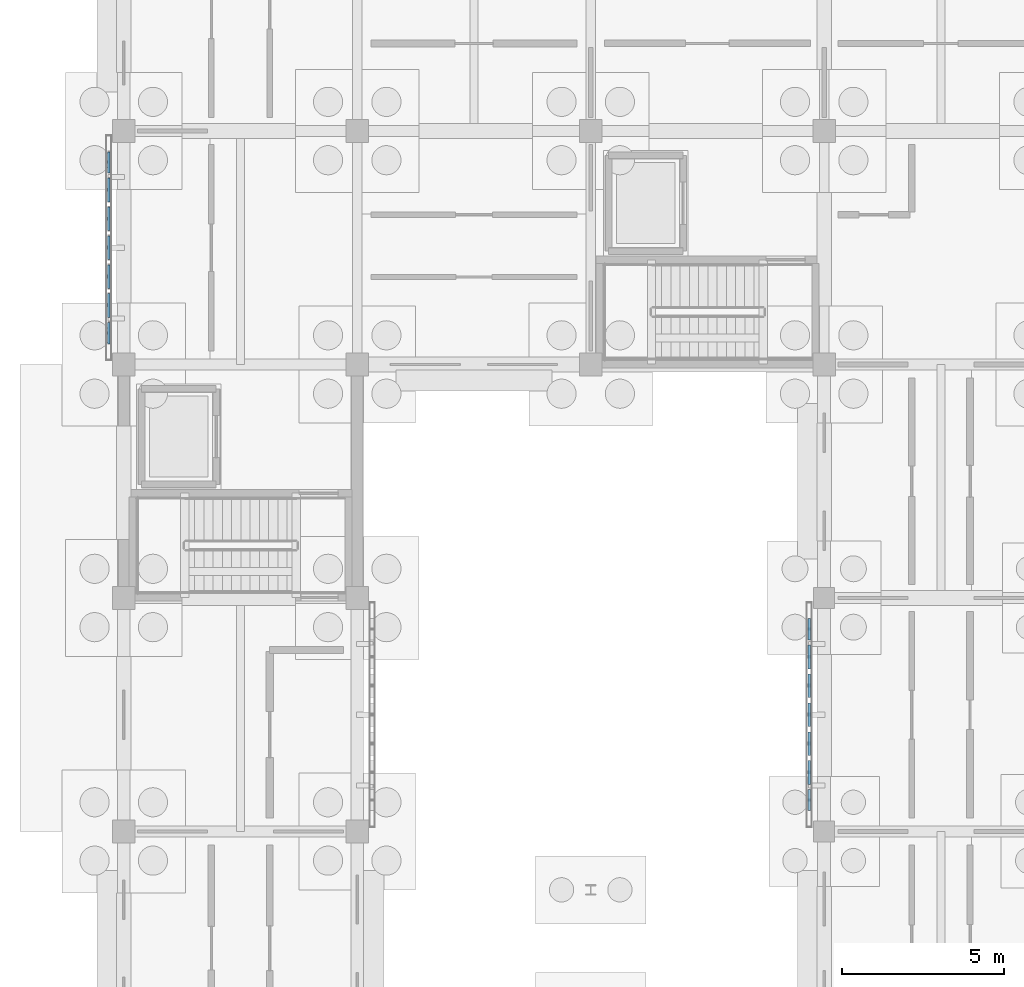
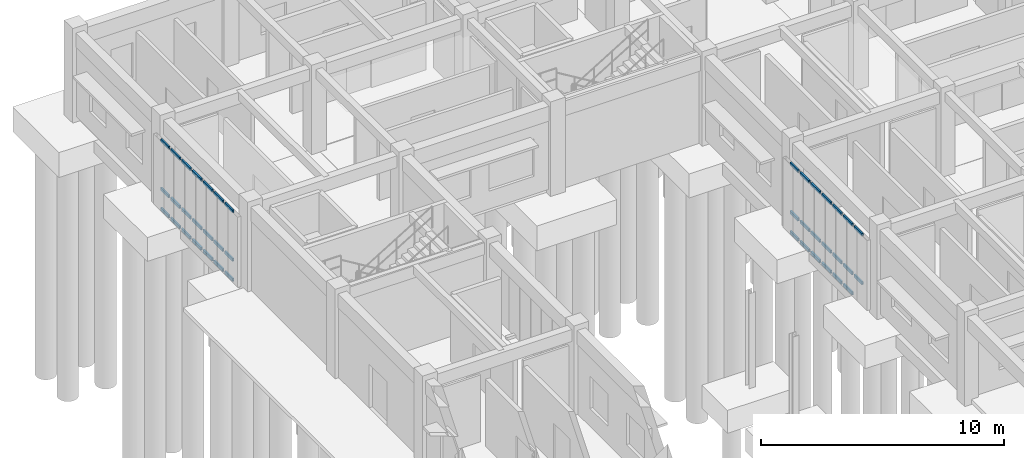
# One storey, part 43 of 111: 41 members, 2 elements without a shape of their own.
"""IFC4 building model written with IfcOpenShell, lengths in metres."""

from ifc_helpers import new_model, si_unit, direction, frame, origin, origin_2d, place, context, subcontext, project, spatial, hollow_rectangle, extrude, material, material_profile, profile_set, type_object, element, aggregate, save


model = new_model("IFC4")

# Units and contexts
model_context = context("Model", 3, precision=1e-05, world=origin(), true_north=direction((0.0, 1.0)))
body_context = subcontext(model_context, "Body", "Model", "MODEL_VIEW")
ifc_project = project(units=[si_unit("LENGTHUNIT", "METRE"), si_unit("AREAUNIT", "SQUARE_METRE"), si_unit("VOLUMEUNIT", "CUBIC_METRE"), si_unit("PLANEANGLEUNIT", "RADIAN"), si_unit("MASSUNIT", "GRAM", prefix="KILO")], contexts=[model_context])

# Site, building, storey
site_placement = place(None, origin())
site = spatial("IfcSite", under=ifc_project, at=site_placement, CompositionType="ELEMENT")
building_placement = place(site_placement, origin())
building = spatial("IfcBuilding", under=site, at=building_placement, Name="Aldebral Square Health Centre", CompositionType="ELEMENT")
storey_placement = place(building_placement, origin())
storey = spatial("IfcBuildingStorey", under=building, at=storey_placement, Name="L00", CompositionType="ELEMENT", Elevation=0.0)

# Curtain wall, members
ifc_material_1 = material(Name="Aluminium and low-E solar glass", Category="aluminium")
curtain_wall_type = type_object("IfcCurtainWallType", Name="CW-FIN-SYS", PredefinedType="USERDEFINED", material=ifc_material_1)
curtain_wall_1_placement = place(storey_placement, origin())
curtain_wall_1 = element("IfcCurtainWall", 1, at=curtain_wall_1_placement, inside=storey, type_object=curtain_wall_type, Name="L00 V4 finned curtain wall L00-V4-00-14-W", ObjectType="SOLAR_CURTAIN_WALL", PredefinedType="USERDEFINED")
ifc_material_2 = material(Name="Anodised aluminium transom", Category="aluminium")
ifc_material_profile = material_profile(ifc_material_2, hollow_rectangle(XDim=0.074951171875, YDim=0.14990234375, WallThickness=0.00390625, at=origin_2d()), Name="CWT 75x150x4")
ifc_profile_set = profile_set([ifc_material_profile], Name="Anodised aluminium transom")
member_type = type_object("IfcMemberType", Name="CWT-STD", PredefinedType="USERDEFINED", material=ifc_profile_set)
member_1_placement = place(storey_placement, frame((-0.4599609375, 107.360107421875, 0.03759765625), z_axis=(0.0, -1.0, 0.0), x_axis=(1.0, 0.0, 0.0)))
member_1 = element("IfcMember", 2, at=member_1_placement, type_object=member_type, Name="CW1 transom 1.1", ObjectType="TRANSOM", PredefinedType="USERDEFINED", context=body_context, shape_type="SweptSolid", body=[
    extrude(hollow_rectangle(XDim=0.074951171875, YDim=0.14990234375, WallThickness=0.00390625, at=origin_2d()), origin(), (0.0, 0.0, 1.0), 0.651611328125),
])
member_2_placement = place(storey_placement, frame((-0.4599609375, 107.360107421875, 1.050048828125), z_axis=(0.0, -1.0, 0.0), x_axis=(1.0, 0.0, 0.0)))
member_2 = element("IfcMember", 3, at=member_2_placement, type_object=member_type, Name="CW1 transom 1.2", ObjectType="TRANSOM", PredefinedType="USERDEFINED", context=body_context, shape_type="SweptSolid", body=[
    extrude(hollow_rectangle(XDim=0.074951171875, YDim=0.14990234375, WallThickness=0.00390625, at=origin_2d()), origin(), (0.0, 0.0, 1.0), 0.651611328125),
])
member_3_placement = place(storey_placement, frame((-0.4599609375, 107.360107421875, 3.482421875), z_axis=(0.0, -1.0, 0.0), x_axis=(1.0, 0.0, 0.0)))
member_3 = element("IfcMember", 4, at=member_3_placement, type_object=member_type, Name="CW1 transom 1.3", ObjectType="TRANSOM", PredefinedType="USERDEFINED", context=body_context, shape_type="SweptSolid", body=[
    extrude(hollow_rectangle(XDim=0.074951171875, YDim=0.14990234375, WallThickness=0.00390625, at=origin_2d()), origin(), (0.0, 0.0, 1.0), 0.651611328125),
])
member_4_placement = place(storey_placement, frame((-0.4599609375, 106.548583984375, 0.03759765625), z_axis=(0.0, -1.0, 0.0), x_axis=(1.0, 0.0, 0.0)))
member_4 = element("IfcMember", 5, at=member_4_placement, type_object=member_type, Name="CW1 transom 2.1", ObjectType="TRANSOM", PredefinedType="USERDEFINED", context=body_context, shape_type="SweptSolid", body=[
    extrude(hollow_rectangle(XDim=0.074951171875, YDim=0.14990234375, WallThickness=0.00390625, at=origin_2d()), origin(), (0.0, 0.0, 1.0), 0.7314453125),
])
member_5_placement = place(storey_placement, frame((-0.4599609375, 106.548583984375, 1.050048828125), z_axis=(0.0, -1.0, 0.0), x_axis=(1.0, 0.0, 0.0)))
member_5 = element("IfcMember", 6, at=member_5_placement, type_object=member_type, Name="CW1 transom 2.2", ObjectType="TRANSOM", PredefinedType="USERDEFINED", context=body_context, shape_type="SweptSolid", body=[
    extrude(hollow_rectangle(XDim=0.074951171875, YDim=0.14990234375, WallThickness=0.00390625, at=origin_2d()), origin(), (0.0, 0.0, 1.0), 0.7314453125),
])
member_6_placement = place(storey_placement, frame((-0.4599609375, 106.548583984375, 3.482421875), z_axis=(0.0, -1.0, 0.0), x_axis=(1.0, 0.0, 0.0)))
member_6 = element("IfcMember", 7, at=member_6_placement, type_object=member_type, Name="CW1 transom 2.3", ObjectType="TRANSOM", PredefinedType="USERDEFINED", context=body_context, shape_type="SweptSolid", body=[
    extrude(hollow_rectangle(XDim=0.074951171875, YDim=0.14990234375, WallThickness=0.00390625, at=origin_2d()), origin(), (0.0, 0.0, 1.0), 0.7314453125),
])
member_7_placement = place(storey_placement, frame((-0.4599609375, 105.6572265625, 0.03759765625), z_axis=(0.0, -1.0, 0.0), x_axis=(1.0, 0.0, 0.0)))
member_7 = element("IfcMember", 8, at=member_7_placement, type_object=member_type, Name="CW1 transom 3.1", ObjectType="TRANSOM", PredefinedType="USERDEFINED", context=body_context, shape_type="SweptSolid", body=[
    extrude(hollow_rectangle(XDim=0.074951171875, YDim=0.14990234375, WallThickness=0.00390625, at=origin_2d()), origin(), (0.0, 0.0, 1.0), 0.7314453125),
])
member_8_placement = place(storey_placement, frame((-0.4599609375, 105.6572265625, 1.050048828125), z_axis=(0.0, -1.0, 0.0), x_axis=(1.0, 0.0, 0.0)))
member_8 = element("IfcMember", 9, at=member_8_placement, type_object=member_type, Name="CW1 transom 3.2", ObjectType="TRANSOM", PredefinedType="USERDEFINED", context=body_context, shape_type="SweptSolid", body=[
    extrude(hollow_rectangle(XDim=0.074951171875, YDim=0.14990234375, WallThickness=0.00390625, at=origin_2d()), origin(), (0.0, 0.0, 1.0), 0.7314453125),
])
member_9_placement = place(storey_placement, frame((-0.4599609375, 105.6572265625, 3.482421875), z_axis=(0.0, -1.0, 0.0), x_axis=(1.0, 0.0, 0.0)))
member_9 = element("IfcMember", 10, at=member_9_placement, type_object=member_type, Name="CW1 transom 3.3", ObjectType="TRANSOM", PredefinedType="USERDEFINED", context=body_context, shape_type="SweptSolid", body=[
    extrude(hollow_rectangle(XDim=0.074951171875, YDim=0.14990234375, WallThickness=0.00390625, at=origin_2d()), origin(), (0.0, 0.0, 1.0), 0.7314453125),
])
member_10_placement = place(storey_placement, frame((-0.4599609375, 104.765625, 0.03759765625), z_axis=(0.0, -1.0, 0.0), x_axis=(1.0, 0.0, 0.0)))
member_10 = element("IfcMember", 11, at=member_10_placement, type_object=member_type, Name="CW1 transom 4.1", ObjectType="TRANSOM", PredefinedType="USERDEFINED", context=body_context, shape_type="SweptSolid", body=[
    extrude(hollow_rectangle(XDim=0.074951171875, YDim=0.14990234375, WallThickness=0.00390625, at=origin_2d()), origin(), (0.0, 0.0, 1.0), 0.7314453125),
])
member_11_placement = place(storey_placement, frame((-0.4599609375, 104.765625, 1.050048828125), z_axis=(0.0, -1.0, 0.0), x_axis=(1.0, 0.0, 0.0)))
member_11 = element("IfcMember", 12, at=member_11_placement, type_object=member_type, Name="CW1 transom 4.2", ObjectType="TRANSOM", PredefinedType="USERDEFINED", context=body_context, shape_type="SweptSolid", body=[
    extrude(hollow_rectangle(XDim=0.074951171875, YDim=0.14990234375, WallThickness=0.00390625, at=origin_2d()), origin(), (0.0, 0.0, 1.0), 0.7314453125),
])
member_12_placement = place(storey_placement, frame((-0.4599609375, 104.765625, 3.482421875), z_axis=(0.0, -1.0, 0.0), x_axis=(1.0, 0.0, 0.0)))
member_12 = element("IfcMember", 13, at=member_12_placement, type_object=member_type, Name="CW1 transom 4.3", ObjectType="TRANSOM", PredefinedType="USERDEFINED", context=body_context, shape_type="SweptSolid", body=[
    extrude(hollow_rectangle(XDim=0.074951171875, YDim=0.14990234375, WallThickness=0.00390625, at=origin_2d()), origin(), (0.0, 0.0, 1.0), 0.7314453125),
])
member_13_placement = place(storey_placement, frame((-0.4599609375, 103.874267578125, 0.03759765625), z_axis=(0.0, -1.0, 0.0), x_axis=(1.0, 0.0, 0.0)))
member_13 = element("IfcMember", 14, at=member_13_placement, type_object=member_type, Name="CW1 transom 5.1", ObjectType="TRANSOM", PredefinedType="USERDEFINED", context=body_context, shape_type="SweptSolid", body=[
    extrude(hollow_rectangle(XDim=0.074951171875, YDim=0.14990234375, WallThickness=0.00390625, at=origin_2d()), origin(), (0.0, 0.0, 1.0), 0.7314453125),
])
member_14_placement = place(storey_placement, frame((-0.4599609375, 103.874267578125, 1.050048828125), z_axis=(0.0, -1.0, 0.0), x_axis=(1.0, 0.0, 0.0)))
member_14 = element("IfcMember", 15, at=member_14_placement, type_object=member_type, Name="CW1 transom 5.2", ObjectType="TRANSOM", PredefinedType="USERDEFINED", context=body_context, shape_type="SweptSolid", body=[
    extrude(hollow_rectangle(XDim=0.074951171875, YDim=0.14990234375, WallThickness=0.00390625, at=origin_2d()), origin(), (0.0, 0.0, 1.0), 0.7314453125),
])
member_15_placement = place(storey_placement, frame((-0.4599609375, 103.874267578125, 3.482421875), z_axis=(0.0, -1.0, 0.0), x_axis=(1.0, 0.0, 0.0)))
member_15 = element("IfcMember", 16, at=member_15_placement, type_object=member_type, Name="CW1 transom 5.3", ObjectType="TRANSOM", PredefinedType="USERDEFINED", context=body_context, shape_type="SweptSolid", body=[
    extrude(hollow_rectangle(XDim=0.074951171875, YDim=0.14990234375, WallThickness=0.00390625, at=origin_2d()), origin(), (0.0, 0.0, 1.0), 0.7314453125),
])
member_16_placement = place(storey_placement, frame((-0.4599609375, 102.98291015625, 0.03759765625), z_axis=(0.0, -1.0, 0.0), x_axis=(1.0, 0.0, 0.0)))
member_16 = element("IfcMember", 17, at=member_16_placement, type_object=member_type, Name="CW1 transom 6.1", ObjectType="TRANSOM", PredefinedType="USERDEFINED", context=body_context, shape_type="SweptSolid", body=[
    extrude(hollow_rectangle(XDim=0.074951171875, YDim=0.14990234375, WallThickness=0.00390625, at=origin_2d()), origin(), (0.0, 0.0, 1.0), 0.7314453125),
])
member_17_placement = place(storey_placement, frame((-0.4599609375, 102.98291015625, 1.050048828125), z_axis=(0.0, -1.0, 0.0), x_axis=(1.0, 0.0, 0.0)))
member_17 = element("IfcMember", 18, at=member_17_placement, type_object=member_type, Name="CW1 transom 6.2", ObjectType="TRANSOM", PredefinedType="USERDEFINED", context=body_context, shape_type="SweptSolid", body=[
    extrude(hollow_rectangle(XDim=0.074951171875, YDim=0.14990234375, WallThickness=0.00390625, at=origin_2d()), origin(), (0.0, 0.0, 1.0), 0.7314453125),
])
member_18_placement = place(storey_placement, frame((-0.4599609375, 102.98291015625, 3.482421875), z_axis=(0.0, -1.0, 0.0), x_axis=(1.0, 0.0, 0.0)))
member_18 = element("IfcMember", 19, at=member_18_placement, type_object=member_type, Name="CW1 transom 6.3", ObjectType="TRANSOM", PredefinedType="USERDEFINED", context=body_context, shape_type="SweptSolid", body=[
    extrude(hollow_rectangle(XDim=0.074951171875, YDim=0.14990234375, WallThickness=0.00390625, at=origin_2d()), origin(), (0.0, 0.0, 1.0), 0.7314453125),
])
member_19_placement = place(storey_placement, frame((-0.4599609375, 102.09130859375, 0.03759765625), z_axis=(0.0, -1.0, 0.0), x_axis=(1.0, 0.0, 0.0)))
member_19 = element("IfcMember", 20, at=member_19_placement, type_object=member_type, Name="CW1 transom 7.1", ObjectType="TRANSOM", PredefinedType="USERDEFINED", context=body_context, shape_type="SweptSolid", body=[
    extrude(hollow_rectangle(XDim=0.074951171875, YDim=0.14990234375, WallThickness=0.00390625, at=origin_2d()), origin(), (0.0, 0.0, 1.0), 0.6513671875),
])
member_20_placement = place(storey_placement, frame((-0.4599609375, 102.09130859375, 1.050048828125), z_axis=(0.0, -1.0, 0.0), x_axis=(1.0, 0.0, 0.0)))
member_20 = element("IfcMember", 21, at=member_20_placement, type_object=member_type, Name="CW1 transom 7.2", ObjectType="TRANSOM", PredefinedType="USERDEFINED", context=body_context, shape_type="SweptSolid", body=[
    extrude(hollow_rectangle(XDim=0.074951171875, YDim=0.14990234375, WallThickness=0.00390625, at=origin_2d()), origin(), (0.0, 0.0, 1.0), 0.6513671875),
])
member_21_placement = place(storey_placement, frame((-0.4599609375, 102.09130859375, 3.482421875), z_axis=(0.0, -1.0, 0.0), x_axis=(1.0, 0.0, 0.0)))
member_21 = element("IfcMember", 22, at=member_21_placement, type_object=member_type, Name="CW1 transom 7.3", ObjectType="TRANSOM", PredefinedType="USERDEFINED", context=body_context, shape_type="SweptSolid", body=[
    extrude(hollow_rectangle(XDim=0.074951171875, YDim=0.14990234375, WallThickness=0.00390625, at=origin_2d()), origin(), (0.0, 0.0, 1.0), 0.6513671875),
])
aggregate(curtain_wall_1, [member_1, member_2, member_3, member_4, member_5, member_6, member_7, member_8, member_9, member_10, member_11, member_12, member_13, member_14, member_15, member_16, member_17, member_18, member_19, member_20, member_21])

curtain_wall_2_placement = place(storey_placement, origin())
curtain_wall_2 = element("IfcCurtainWall", 23, at=curtain_wall_2_placement, inside=storey, type_object=curtain_wall_type, Name="L00 V4 finned curtain wall L00-V4-03-12-W", ObjectType="SOLAR_CURTAIN_WALL", PredefinedType="USERDEFINED")
member_22_placement = place(storey_placement, frame((21.139892578125, 92.9599609375, 0.03759765625), z_axis=(0.0, -1.0, 0.0), x_axis=(1.0, 0.0, 0.0)))
member_22 = element("IfcMember", 24, at=member_22_placement, type_object=member_type, Name="CW1 transom 1.1", ObjectType="TRANSOM", PredefinedType="USERDEFINED", context=body_context, shape_type="SweptSolid", body=[
    extrude(hollow_rectangle(XDim=0.074951171875, YDim=0.14990234375, WallThickness=0.00390625, at=origin_2d()), origin(), (0.0, 0.0, 1.0), 0.6513671875),
])
member_23_placement = place(storey_placement, frame((21.139892578125, 92.9599609375, 1.050048828125), z_axis=(0.0, -1.0, 0.0), x_axis=(1.0, 0.0, 0.0)))
member_23 = element("IfcMember", 25, at=member_23_placement, type_object=member_type, Name="CW1 transom 1.2", ObjectType="TRANSOM", PredefinedType="USERDEFINED", context=body_context, shape_type="SweptSolid", body=[
    extrude(hollow_rectangle(XDim=0.074951171875, YDim=0.14990234375, WallThickness=0.00390625, at=origin_2d()), origin(), (0.0, 0.0, 1.0), 0.6513671875),
])
member_24_placement = place(storey_placement, frame((21.139892578125, 92.9599609375, 3.482421875), z_axis=(0.0, -1.0, 0.0), x_axis=(1.0, 0.0, 0.0)))
member_24 = element("IfcMember", 26, at=member_24_placement, type_object=member_type, Name="CW1 transom 1.3", ObjectType="TRANSOM", PredefinedType="USERDEFINED", context=body_context, shape_type="SweptSolid", body=[
    extrude(hollow_rectangle(XDim=0.074951171875, YDim=0.14990234375, WallThickness=0.00390625, at=origin_2d()), origin(), (0.0, 0.0, 1.0), 0.6513671875),
])
member_25_placement = place(storey_placement, frame((21.139892578125, 92.148681640625, 0.03759765625), z_axis=(0.0, -1.0, 0.0), x_axis=(1.0, 0.0, 0.0)))
member_25 = element("IfcMember", 27, at=member_25_placement, type_object=member_type, Name="CW1 transom 2.1", ObjectType="TRANSOM", PredefinedType="USERDEFINED", context=body_context, shape_type="SweptSolid", body=[
    extrude(hollow_rectangle(XDim=0.074951171875, YDim=0.14990234375, WallThickness=0.00390625, at=origin_2d()), origin(), (0.0, 0.0, 1.0), 0.7314453125),
])
member_26_placement = place(storey_placement, frame((21.139892578125, 92.148681640625, 1.050048828125), z_axis=(0.0, -1.0, 0.0), x_axis=(1.0, 0.0, 0.0)))
member_26 = element("IfcMember", 28, at=member_26_placement, type_object=member_type, Name="CW1 transom 2.2", ObjectType="TRANSOM", PredefinedType="USERDEFINED", context=body_context, shape_type="SweptSolid", body=[
    extrude(hollow_rectangle(XDim=0.074951171875, YDim=0.14990234375, WallThickness=0.00390625, at=origin_2d()), origin(), (0.0, 0.0, 1.0), 0.7314453125),
])
member_27_placement = place(storey_placement, frame((21.139892578125, 92.148681640625, 3.482421875), z_axis=(0.0, -1.0, 0.0), x_axis=(1.0, 0.0, 0.0)))
member_27 = element("IfcMember", 29, at=member_27_placement, type_object=member_type, Name="CW1 transom 2.3", ObjectType="TRANSOM", PredefinedType="USERDEFINED", context=body_context, shape_type="SweptSolid", body=[
    extrude(hollow_rectangle(XDim=0.074951171875, YDim=0.14990234375, WallThickness=0.00390625, at=origin_2d()), origin(), (0.0, 0.0, 1.0), 0.7314453125),
])
member_28_placement = place(storey_placement, frame((21.139892578125, 91.257080078125, 0.03759765625), z_axis=(0.0, -1.0, 0.0), x_axis=(1.0, 0.0, 0.0)))
member_28 = element("IfcMember", 30, at=member_28_placement, type_object=member_type, Name="CW1 transom 3.1", ObjectType="TRANSOM", PredefinedType="USERDEFINED", context=body_context, shape_type="SweptSolid", body=[
    extrude(hollow_rectangle(XDim=0.074951171875, YDim=0.14990234375, WallThickness=0.00390625, at=origin_2d()), origin(), (0.0, 0.0, 1.0), 0.7314453125),
])
member_29_placement = place(storey_placement, frame((21.139892578125, 91.257080078125, 1.050048828125), z_axis=(0.0, -1.0, 0.0), x_axis=(1.0, 0.0, 0.0)))
member_29 = element("IfcMember", 31, at=member_29_placement, type_object=member_type, Name="CW1 transom 3.2", ObjectType="TRANSOM", PredefinedType="USERDEFINED", context=body_context, shape_type="SweptSolid", body=[
    extrude(hollow_rectangle(XDim=0.074951171875, YDim=0.14990234375, WallThickness=0.00390625, at=origin_2d()), origin(), (0.0, 0.0, 1.0), 0.7314453125),
])
member_30_placement = place(storey_placement, frame((21.139892578125, 91.257080078125, 3.482421875), z_axis=(0.0, -1.0, 0.0), x_axis=(1.0, 0.0, 0.0)))
member_30 = element("IfcMember", 32, at=member_30_placement, type_object=member_type, Name="CW1 transom 3.3", ObjectType="TRANSOM", PredefinedType="USERDEFINED", context=body_context, shape_type="SweptSolid", body=[
    extrude(hollow_rectangle(XDim=0.074951171875, YDim=0.14990234375, WallThickness=0.00390625, at=origin_2d()), origin(), (0.0, 0.0, 1.0), 0.7314453125),
])
member_31_placement = place(storey_placement, frame((21.139892578125, 90.36572265625, 0.03759765625), z_axis=(0.0, -1.0, 0.0), x_axis=(1.0, 0.0, 0.0)))
member_31 = element("IfcMember", 33, at=member_31_placement, type_object=member_type, Name="CW1 transom 4.1", ObjectType="TRANSOM", PredefinedType="USERDEFINED", context=body_context, shape_type="SweptSolid", body=[
    extrude(hollow_rectangle(XDim=0.074951171875, YDim=0.14990234375, WallThickness=0.00390625, at=origin_2d()), origin(), (0.0, 0.0, 1.0), 0.7314453125),
])
member_32_placement = place(storey_placement, frame((21.139892578125, 90.36572265625, 1.050048828125), z_axis=(0.0, -1.0, 0.0), x_axis=(1.0, 0.0, 0.0)))
member_32 = element("IfcMember", 34, at=member_32_placement, type_object=member_type, Name="CW1 transom 4.2", ObjectType="TRANSOM", PredefinedType="USERDEFINED", context=body_context, shape_type="SweptSolid", body=[
    extrude(hollow_rectangle(XDim=0.074951171875, YDim=0.14990234375, WallThickness=0.00390625, at=origin_2d()), origin(), (0.0, 0.0, 1.0), 0.7314453125),
])
member_33_placement = place(storey_placement, frame((21.139892578125, 90.36572265625, 3.482421875), z_axis=(0.0, -1.0, 0.0), x_axis=(1.0, 0.0, 0.0)))
member_33 = element("IfcMember", 35, at=member_33_placement, type_object=member_type, Name="CW1 transom 4.3", ObjectType="TRANSOM", PredefinedType="USERDEFINED", context=body_context, shape_type="SweptSolid", body=[
    extrude(hollow_rectangle(XDim=0.074951171875, YDim=0.14990234375, WallThickness=0.00390625, at=origin_2d()), origin(), (0.0, 0.0, 1.0), 0.7314453125),
])
member_34_placement = place(storey_placement, frame((21.139892578125, 89.474365234375, 0.03759765625), z_axis=(0.0, -1.0, 0.0), x_axis=(1.0, 0.0, 0.0)))
member_34 = element("IfcMember", 36, at=member_34_placement, type_object=member_type, Name="CW1 transom 5.1", ObjectType="TRANSOM", PredefinedType="USERDEFINED", context=body_context, shape_type="SweptSolid", body=[
    extrude(hollow_rectangle(XDim=0.074951171875, YDim=0.14990234375, WallThickness=0.00390625, at=origin_2d()), origin(), (0.0, 0.0, 1.0), 0.7314453125),
])
member_35_placement = place(storey_placement, frame((21.139892578125, 89.474365234375, 1.050048828125), z_axis=(0.0, -1.0, 0.0), x_axis=(1.0, 0.0, 0.0)))
member_35 = element("IfcMember", 37, at=member_35_placement, type_object=member_type, Name="CW1 transom 5.2", ObjectType="TRANSOM", PredefinedType="USERDEFINED", context=body_context, shape_type="SweptSolid", body=[
    extrude(hollow_rectangle(XDim=0.074951171875, YDim=0.14990234375, WallThickness=0.00390625, at=origin_2d()), origin(), (0.0, 0.0, 1.0), 0.7314453125),
])
member_36_placement = place(storey_placement, frame((21.139892578125, 89.474365234375, 3.482421875), z_axis=(0.0, -1.0, 0.0), x_axis=(1.0, 0.0, 0.0)))
member_36 = element("IfcMember", 38, at=member_36_placement, type_object=member_type, Name="CW1 transom 5.3", ObjectType="TRANSOM", PredefinedType="USERDEFINED", context=body_context, shape_type="SweptSolid", body=[
    extrude(hollow_rectangle(XDim=0.074951171875, YDim=0.14990234375, WallThickness=0.00390625, at=origin_2d()), origin(), (0.0, 0.0, 1.0), 0.7314453125),
])
member_37_placement = place(storey_placement, frame((21.139892578125, 88.582763671875, 0.03759765625), z_axis=(0.0, -1.0, 0.0), x_axis=(1.0, 0.0, 0.0)))
member_37 = element("IfcMember", 39, at=member_37_placement, type_object=member_type, Name="CW1 transom 6.1", ObjectType="TRANSOM", PredefinedType="USERDEFINED", context=body_context, shape_type="SweptSolid", body=[
    extrude(hollow_rectangle(XDim=0.074951171875, YDim=0.14990234375, WallThickness=0.00390625, at=origin_2d()), origin(), (0.0, 0.0, 1.0), 0.7314453125),
])
member_38_placement = place(storey_placement, frame((21.139892578125, 88.582763671875, 1.050048828125), z_axis=(0.0, -1.0, 0.0), x_axis=(1.0, 0.0, 0.0)))
member_38 = element("IfcMember", 40, at=member_38_placement, type_object=member_type, Name="CW1 transom 6.2", ObjectType="TRANSOM", PredefinedType="USERDEFINED", context=body_context, shape_type="SweptSolid", body=[
    extrude(hollow_rectangle(XDim=0.074951171875, YDim=0.14990234375, WallThickness=0.00390625, at=origin_2d()), origin(), (0.0, 0.0, 1.0), 0.7314453125),
])
member_39_placement = place(storey_placement, frame((21.139892578125, 88.582763671875, 3.482421875), z_axis=(0.0, -1.0, 0.0), x_axis=(1.0, 0.0, 0.0)))
member_39 = element("IfcMember", 41, at=member_39_placement, type_object=member_type, Name="CW1 transom 6.3", ObjectType="TRANSOM", PredefinedType="USERDEFINED", context=body_context, shape_type="SweptSolid", body=[
    extrude(hollow_rectangle(XDim=0.074951171875, YDim=0.14990234375, WallThickness=0.00390625, at=origin_2d()), origin(), (0.0, 0.0, 1.0), 0.7314453125),
])
member_40_placement = place(storey_placement, frame((21.139892578125, 87.69140625, 1.050048828125), z_axis=(0.0, -1.0, 0.0), x_axis=(1.0, 0.0, 0.0)))
member_40 = element("IfcMember", 42, at=member_40_placement, type_object=member_type, Name="CW1 transom 7.2", ObjectType="TRANSOM", PredefinedType="USERDEFINED", context=body_context, shape_type="SweptSolid", body=[
    extrude(hollow_rectangle(XDim=0.074951171875, YDim=0.14990234375, WallThickness=0.00390625, at=origin_2d()), origin(), (0.0, 0.0, 1.0), 0.6513671875),
])
member_41_placement = place(storey_placement, frame((21.139892578125, 87.69140625, 3.482421875), z_axis=(0.0, -1.0, 0.0), x_axis=(1.0, 0.0, 0.0)))
member_41 = element("IfcMember", 43, at=member_41_placement, type_object=member_type, Name="CW1 transom 7.3", ObjectType="TRANSOM", PredefinedType="USERDEFINED", context=body_context, shape_type="SweptSolid", body=[
    extrude(hollow_rectangle(XDim=0.074951171875, YDim=0.14990234375, WallThickness=0.00390625, at=origin_2d()), origin(), (0.0, 0.0, 1.0), 0.6513671875),
])
aggregate(curtain_wall_2, [member_22, member_23, member_24, member_25, member_26, member_27, member_28, member_29, member_30, member_31, member_32, member_33, member_34, member_35, member_36, member_37, member_38, member_39, member_40, member_41])

save(model, "model.ifc")
